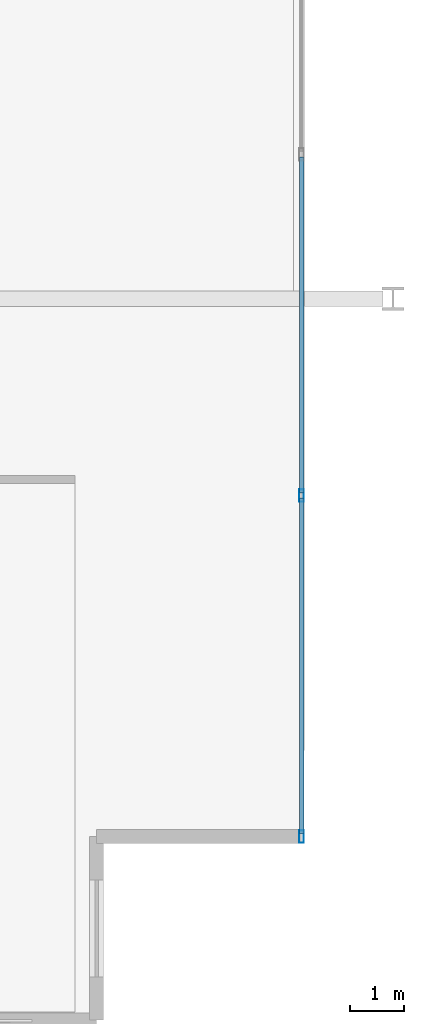
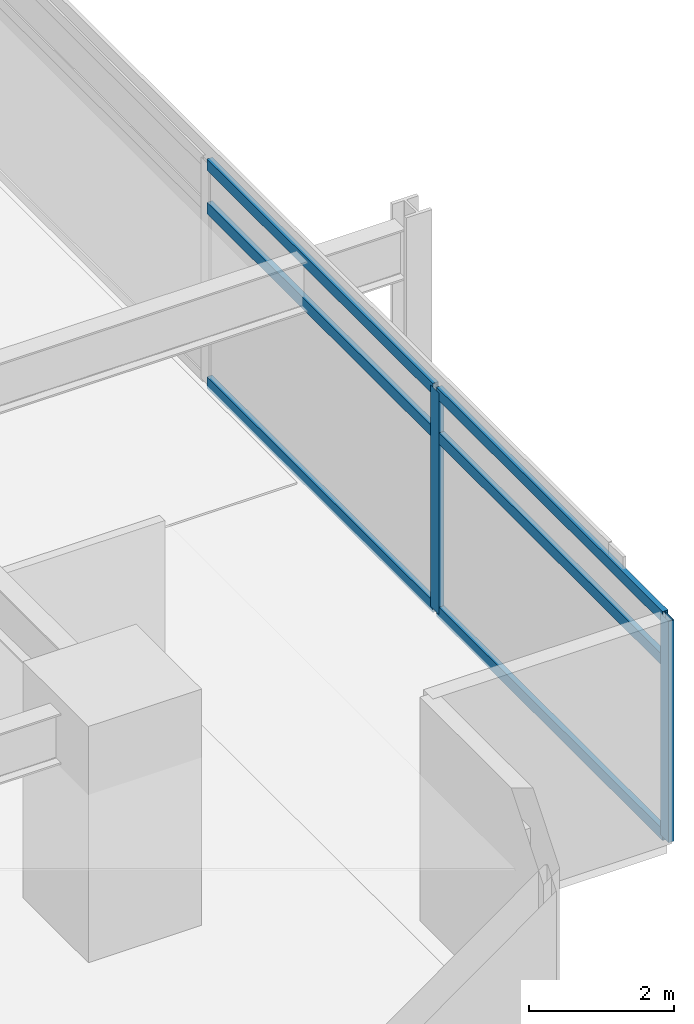
# One storey, part 8 of 23: 8 members, 1 element without a shape of its own.
"""IFC4 building model written with IfcOpenShell, lengths in metres."""

from ifc_helpers import new_model, si_unit, direction, frame, origin, origin_2d, place, context, subcontext, project, spatial, hollow_rectangle, extrude, material, material_profile, profile_set, type_object, element, aggregate, save


model = new_model("IFC4")

# Units and contexts
model_context = context("Model", 3, precision=1e-05, world=origin(), true_north=direction((0.0, 1.0)))
body_context = subcontext(model_context, "Body", "Model", "MODEL_VIEW")
ifc_project = project(units=[si_unit("LENGTHUNIT", "METRE"), si_unit("AREAUNIT", "SQUARE_METRE"), si_unit("VOLUMEUNIT", "CUBIC_METRE"), si_unit("PLANEANGLEUNIT", "RADIAN"), si_unit("MASSUNIT", "GRAM", prefix="KILO")], contexts=[model_context])

# Site, building, storey
site_placement = place(None, origin())
site = spatial("IfcSite", under=ifc_project, at=site_placement, CompositionType="ELEMENT")
building_placement = place(site_placement, origin())
building = spatial("IfcBuilding", under=site, at=building_placement, Name="Kovane Verandah Tower", CompositionType="ELEMENT")
storey_placement = place(building_placement, frame((0.0, 0.0, 63.60009765625)))
storey = spatial("IfcBuildingStorey", under=building, at=storey_placement, Name="L14", CompositionType="ELEMENT", Elevation=63.60009765625)

# Curtain wall, members
ifc_material_1 = material(Name="Champagne Anodised Aluminium Frame with Low-E Clear Laminated Glass", Category="aluminium")
curtain_wall_type = type_object("IfcCurtainWallType", Name="CW-SYS-02-LOW", PredefinedType="NOTDEFINED", material=ifc_material_1)
curtain_wall_placement = place(storey_placement, origin())
curtain_wall = element("IfcCurtainWall", 1, at=curtain_wall_placement, inside=storey, type_object=curtain_wall_type, Name="L14 E Unitised Curtain Wall", PredefinedType="NOTDEFINED")
ifc_material_2 = material(Name="Champagne Anodised Aluminium 6063-T6", Category="aluminium")
ifc_material_profile_1 = material_profile(ifc_material_2, hollow_rectangle(XDim=0.0849609375, YDim=0.22998046875, WallThickness=0.00390625, at=origin_2d()), Name="AL85x230x4")
ifc_profile_set_1 = profile_set([ifc_material_profile_1], Name="Champagne Anodised Aluminium 6063-T6")
member_type_1 = type_object("IfcMemberType", Name="CW-MUL-85x230", PredefinedType="MULLION", material=ifc_profile_set_1)
member_1_placement = place(storey_placement, frame((65.906982421875, 8.52490234375, 0.02001953125), z_axis=(0.0, 0.0, 1.0), x_axis=(1.0, 0.0, 0.0)))
member_1 = element("IfcMember", 2, at=member_1_placement, type_object=member_type_1, Name="L14 E Unitised Curtain Wall Mullion 1", PredefinedType="MULLION", context=body_context, shape_type="SweptSolid", body=[
    extrude(hollow_rectangle(XDim=0.0849609375, YDim=0.22998046875, WallThickness=0.00390625, at=origin_2d()), origin(), (0.0, 0.0, 1.0), 3.719970703125),
])
member_2_placement = place(storey_placement, frame((65.906982421875, 14.85009765625, 0.02001953125), z_axis=(0.0, 0.0, 1.0), x_axis=(1.0, 0.0, 0.0)))
member_2 = element("IfcMember", 3, at=member_2_placement, type_object=member_type_1, Name="L14 E Unitised Curtain Wall Mullion 2", PredefinedType="MULLION", context=body_context, shape_type="SweptSolid", body=[
    extrude(hollow_rectangle(XDim=0.0849609375, YDim=0.22998046875, WallThickness=0.00390625, at=origin_2d()), origin(), (0.0, 0.0, 1.0), 3.719970703125),
])
ifc_material_profile_2 = material_profile(ifc_material_2, hollow_rectangle(XDim=0.0849609375, YDim=0.18994140625, WallThickness=0.00390625, at=origin_2d()), Name="AL85x190x4")
ifc_profile_set_2 = profile_set([ifc_material_profile_2], Name="Champagne Anodised Aluminium 6063-T6")
member_type_2 = type_object("IfcMemberType", Name="CW-TRN-85x190", PredefinedType="USERDEFINED", material=ifc_profile_set_2)
member_3_placement = place(storey_placement, frame((65.906982421875, 8.574951171875, 0.0498046875), z_axis=(0.0, 1.0, 0.0), x_axis=(-1.0, 0.0, 0.0)))
member_3 = element("IfcMember", 4, at=member_3_placement, type_object=member_type_2, Name="L14 E Unitised Curtain Wall Transom TB Bay 1", ObjectType="TRANSOM", PredefinedType="USERDEFINED", context=body_context, shape_type="SweptSolid", body=[
    extrude(hollow_rectangle(XDim=0.0849609375, YDim=0.18994140625, WallThickness=0.00390625, at=origin_2d()), origin(), (0.0, 0.0, 1.0), 6.22509765625),
])
member_4_placement = place(storey_placement, frame((65.906982421875, 8.574951171875, 2.97998046875), z_axis=(0.0, 1.0, 0.0), x_axis=(-1.0, 0.0, 0.0)))
member_4 = element("IfcMember", 5, at=member_4_placement, type_object=member_type_2, Name="L14 E Unitised Curtain Wall Transom TM Bay 1", ObjectType="TRANSOM", PredefinedType="USERDEFINED", context=body_context, shape_type="SweptSolid", body=[
    extrude(hollow_rectangle(XDim=0.0849609375, YDim=0.18994140625, WallThickness=0.00390625, at=origin_2d()), origin(), (0.0, 0.0, 1.0), 6.22509765625),
])
member_5_placement = place(storey_placement, frame((65.906982421875, 8.574951171875, 3.7099609375), z_axis=(0.0, 1.0, 0.0), x_axis=(-1.0, 0.0, 0.0)))
member_5 = element("IfcMember", 6, at=member_5_placement, type_object=member_type_2, Name="L14 E Unitised Curtain Wall Transom TT Bay 1", ObjectType="TRANSOM", PredefinedType="USERDEFINED", context=body_context, shape_type="SweptSolid", body=[
    extrude(hollow_rectangle(XDim=0.0849609375, YDim=0.18994140625, WallThickness=0.00390625, at=origin_2d()), origin(), (0.0, 0.0, 1.0), 6.22509765625),
])
member_6_placement = place(storey_placement, frame((65.906982421875, 14.89990234375, 0.0498046875), z_axis=(0.0, 1.0, 0.0), x_axis=(-1.0, 0.0, 0.0)))
member_6 = element("IfcMember", 7, at=member_6_placement, type_object=member_type_2, Name="L14 E Unitised Curtain Wall Transom TB Bay 2", ObjectType="TRANSOM", PredefinedType="USERDEFINED", context=body_context, shape_type="SweptSolid", body=[
    extrude(hollow_rectangle(XDim=0.0849609375, YDim=0.18994140625, WallThickness=0.00390625, at=origin_2d()), origin(), (0.0, 0.0, 1.0), 6.22509765625),
])
member_7_placement = place(storey_placement, frame((65.906982421875, 14.89990234375, 2.97998046875), z_axis=(0.0, 1.0, 0.0), x_axis=(-1.0, 0.0, 0.0)))
member_7 = element("IfcMember", 8, at=member_7_placement, type_object=member_type_2, Name="L14 E Unitised Curtain Wall Transom TM Bay 2", ObjectType="TRANSOM", PredefinedType="USERDEFINED", context=body_context, shape_type="SweptSolid", body=[
    extrude(hollow_rectangle(XDim=0.0849609375, YDim=0.18994140625, WallThickness=0.00390625, at=origin_2d()), origin(), (0.0, 0.0, 1.0), 6.22509765625),
])
member_8_placement = place(storey_placement, frame((65.906982421875, 14.89990234375, 3.7099609375), z_axis=(0.0, 1.0, 0.0), x_axis=(-1.0, 0.0, 0.0)))
member_8 = element("IfcMember", 9, at=member_8_placement, type_object=member_type_2, Name="L14 E Unitised Curtain Wall Transom TT Bay 2", ObjectType="TRANSOM", PredefinedType="USERDEFINED", context=body_context, shape_type="SweptSolid", body=[
    extrude(hollow_rectangle(XDim=0.0849609375, YDim=0.18994140625, WallThickness=0.00390625, at=origin_2d()), origin(), (0.0, 0.0, 1.0), 6.22509765625),
])
aggregate(curtain_wall, [member_1, member_2, member_3, member_4, member_5, member_6, member_7, member_8])

save(model, "model.ifc")
